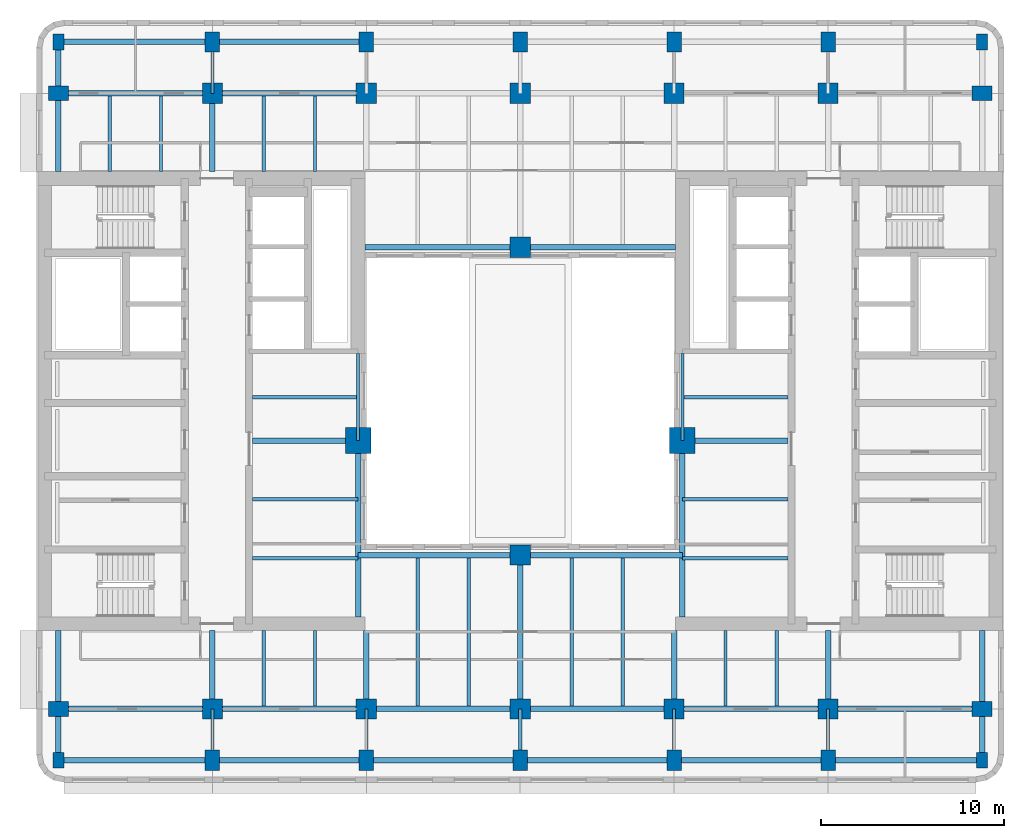
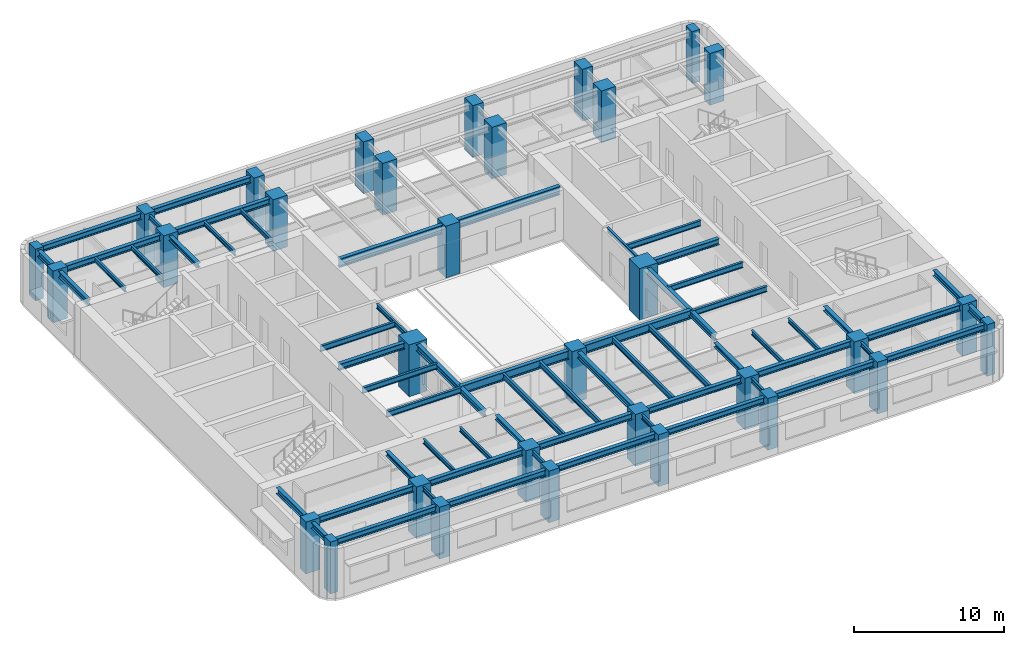
# One storey, part 1 of 11: 62 beams, 32 columns.
"""IFC4 building model written with IfcOpenShell, lengths in metres."""

from ifc_helpers import new_model, si_unit, direction, frame, origin, origin_2d, place, context, subcontext, project, spatial, rectangle, i_section, extrude, material, material_profile, profile_set, type_object, element, save


model = new_model("IFC4")

# Units and contexts
model_context = context("Model", 3, precision=1e-05, world=origin(), true_north=direction((0.0, 1.0)))
body_context = subcontext(model_context, "Body", "Model", "MODEL_VIEW")
ifc_project = project(units=[si_unit("LENGTHUNIT", "METRE"), si_unit("AREAUNIT", "SQUARE_METRE"), si_unit("VOLUMEUNIT", "CUBIC_METRE"), si_unit("PLANEANGLEUNIT", "RADIAN"), si_unit("MASSUNIT", "GRAM", prefix="KILO")], contexts=[model_context])

# Site, building, storey
site_placement = place(None, origin())
site = spatial("IfcSite", under=ifc_project, at=site_placement, CompositionType="ELEMENT")
building_placement = place(site_placement, origin())
building = spatial("IfcBuilding", under=site, at=building_placement, Name="Claustro Exchange Tower", CompositionType="ELEMENT")
storey_placement = place(building_placement, frame((0.0, 0.0, 177.60009765625)))
storey = spatial("IfcBuildingStorey", under=building, at=storey_placement, Name="L40", CompositionType="ELEMENT", Elevation=177.60009765625)

# Columns
ifc_material_1 = material(Name="Concrete HA-70 (C70/85)", Category="concrete")
ifc_material_profile_1 = material_profile(ifc_material_1, rectangle(XDim=1.39990234375, YDim=1.39990234375, at=origin_2d()), Name="RC 1400x1400")
ifc_profile_set_1 = profile_set([ifc_material_profile_1], Name="Concrete HA-70 (C70/85)")
column_type_1 = type_object("IfcColumnType", Name="C0 RC 1400x1400 HA-70 column", PredefinedType="COLUMN", material=ifc_profile_set_1)
for number, where, z_axis, x_axis, name in (
    (1, (16.35009765625, 23.050048828125, 0.0), (0.0, 0.0, 1.0), (1.0, 0.0, 0.0), "Column C0 2+7950/C+6250 L40"),
    (2, (34.050048828125, 23.050048828125, 0.0), (0.0, 0.0, 1.0), (1.0, 0.0, 0.0), "Column C0 5+450/C+6250 L40"),
):
    element("IfcColumn", number, at=place(storey_placement, frame(where, z_axis=z_axis, x_axis=x_axis)), inside=storey, type_object=column_type_1, Name=name, PredefinedType="COLUMN", context=body_context, shape_type="SweptSolid", body=[
        extrude(rectangle(XDim=1.39990234375, YDim=1.39990234375, at=origin_2d()), origin(), (0.0, 0.0, 1.0), 4.199951171875),
    ])
ifc_material_2 = material(Name="Concrete HA-70 (C70/85)", Category="concrete")
ifc_material_profile_2 = material_profile(ifc_material_2, rectangle(XDim=1.10009765625, YDim=1.10009765625, at=origin_2d()), Name="RC 1100x1100")
ifc_profile_set_2 = profile_set([ifc_material_profile_2], Name="Concrete HA-70 (C70/85)")
column_type_2 = type_object("IfcColumnType", Name="C17 RC 1100x1100 HA-70 column", PredefinedType="COLUMN", material=ifc_profile_set_2)
for number, where, z_axis, x_axis, name in (
    (3, (8.39990234375, 8.39990234375, 0.0), (0.0, 0.0, 1.0), (1.0, 0.0, 0.0), "Column C17 2/B L40"),
    (4, (8.39990234375, 42.0, 0.0), (0.0, 0.0, 1.0), (1.0, 0.0, 0.0), "Column C17 2/F L40"),
    (5, (16.800048828125, 8.39990234375, 0.0), (0.0, 0.0, 1.0), (1.0, 0.0, 0.0), "Column C17 3/B L40"),
    (6, (16.800048828125, 42.0, 0.0), (0.0, 0.0, 1.0), (1.0, 0.0, 0.0), "Column C17 3/F L40"),
    (7, (25.199951171875, 8.39990234375, 0.0), (0.0, 0.0, 1.0), (1.0, 0.0, 0.0), "Column C17 4/B L40"),
    (8, (25.199951171875, 42.0, 0.0), (0.0, 0.0, 1.0), (1.0, 0.0, 0.0), "Column C17 4/F L40"),
    (9, (25.199951171875, 16.800048828125, 0.0), (0.0, 0.0, 1.0), (1.0, 0.0, 0.0), "Column C17 4/C L40"),
    (10, (25.199951171875, 33.60009765625, 0.0), (0.0, 0.0, 1.0), (1.0, 0.0, 0.0), "Column C17 4/E L40"),
    (11, (33.60009765625, 8.39990234375, 0.0), (0.0, 0.0, 1.0), (1.0, 0.0, 0.0), "Column C17 5/B L40"),
    (12, (33.60009765625, 42.0, 0.0), (0.0, 0.0, 1.0), (1.0, 0.0, 0.0), "Column C17 5/F L40"),
    (13, (42.0, 8.39990234375, 0.0), (0.0, 0.0, 1.0), (1.0, 0.0, 0.0), "Column C17 6/B L40"),
    (14, (42.0, 42.0, 0.0), (0.0, 0.0, 1.0), (1.0, 0.0, 0.0), "Column C17 6/F L40"),
):
    element("IfcColumn", number, at=place(storey_placement, frame(where, z_axis=z_axis, x_axis=x_axis)), inside=storey, type_object=column_type_2, Name=name, PredefinedType="COLUMN", context=body_context, shape_type="SweptSolid", body=[
        extrude(rectangle(XDim=1.10009765625, YDim=1.10009765625, at=origin_2d()), origin(), (0.0, 0.0, 1.0), 4.199951171875),
    ])
ifc_material_3 = material(Name="Concrete HA-50 (C50/60)", Category="concrete")
ifc_material_profile_3 = material_profile(ifc_material_3, rectangle(XDim=0.800048828125, YDim=1.10009765625, at=origin_2d()), Name="RC 800x1100")
ifc_profile_set_3 = profile_set([ifc_material_profile_3], Name="Concrete HA-50 (C50/60)")
column_type_3 = type_object("IfcColumnType", Name="C23 RC 800x1100 HA-50 perimeter column", PredefinedType="COLUMN", material=ifc_profile_set_3)
for number, where, z_axis, x_axis, name in (
    (15, (0.0, 8.39990234375, 0.0), (0.0, 0.0, 1.0), (0.0, 1.0, 0.0), "Column C23 1/B L40"),
    (16, (0.0, 42.0, 0.0), (0.0, 0.0, 1.0), (0.0, 1.0, 0.0), "Column C23 1/F L40"),
    (17, (8.39990234375, 5.60009765625, 0.0), (0.0, 0.0, 1.0), (1.0, 0.0, 0.0), "Column C23 2/A+5600 L40"),
    (18, (8.39990234375, 44.800048828125, 0.0), (0.0, 0.0, 1.0), (1.0, 0.0, 0.0), "Column C23 2/F+2800 L40"),
    (19, (16.800048828125, 5.60009765625, 0.0), (0.0, 0.0, 1.0), (1.0, 0.0, 0.0), "Column C23 3/A+5600 L40"),
    (20, (16.800048828125, 44.800048828125, 0.0), (0.0, 0.0, 1.0), (1.0, 0.0, 0.0), "Column C23 3/F+2800 L40"),
    (21, (25.199951171875, 5.60009765625, 0.0), (0.0, 0.0, 1.0), (1.0, 0.0, 0.0), "Column C23 4/A+5600 L40"),
    (22, (25.199951171875, 44.800048828125, 0.0), (0.0, 0.0, 1.0), (1.0, 0.0, 0.0), "Column C23 4/F+2800 L40"),
    (23, (33.60009765625, 5.60009765625, 0.0), (0.0, 0.0, 1.0), (1.0, 0.0, 0.0), "Column C23 5/A+5600 L40"),
    (24, (33.60009765625, 44.800048828125, 0.0), (0.0, 0.0, 1.0), (1.0, 0.0, 0.0), "Column C23 5/F+2800 L40"),
    (25, (42.0, 5.60009765625, 0.0), (0.0, 0.0, 1.0), (1.0, 0.0, 0.0), "Column C23 6/A+5600 L40"),
    (26, (42.0, 44.800048828125, 0.0), (0.0, 0.0, 1.0), (1.0, 0.0, 0.0), "Column C23 6/F+2800 L40"),
    (27, (50.39990234375, 8.39990234375, 0.0), (0.0, 0.0, 1.0), (0.0, 1.0, 0.0), "Column C23 7/B L40"),
    (28, (50.39990234375, 42.0, 0.0), (0.0, 0.0, 1.0), (0.0, 1.0, 0.0), "Column C23 7/F L40"),
):
    element("IfcColumn", number, at=place(storey_placement, frame(where, z_axis=z_axis, x_axis=x_axis)), inside=storey, type_object=column_type_3, Name=name, PredefinedType="COLUMN", context=body_context, shape_type="SweptSolid", body=[
        extrude(rectangle(XDim=0.800048828125, YDim=1.10009765625, at=origin_2d()), origin(), (0.0, 0.0, 1.0), 4.199951171875),
    ])
ifc_material_4 = material(Name="Concrete HA-50 (C50/60)", Category="concrete")
ifc_material_profile_4 = material_profile(ifc_material_4, rectangle(XDim=0.60009765625, YDim=0.85009765625, at=origin_2d()), Name="RC 600x850")
ifc_profile_set_4 = profile_set([ifc_material_profile_4], Name="Concrete HA-50 (C50/60)")
column_type_4 = type_object("IfcColumnType", Name="C25 RC 600x850 HA-50 corner column", PredefinedType="COLUMN", material=ifc_profile_set_4)
for number, where, z_axis, x_axis, name in (
    (29, (0.0, 5.60009765625, 0.0), (0.0, 0.0, 1.0), (1.0, 0.0, 0.0), "Column C25 1/A+5600 L40"),
    (30, (0.0, 44.800048828125, 0.0), (0.0, 0.0, 1.0), (1.0, 0.0, 0.0), "Column C25 1/F+2800 L40"),
    (31, (50.39990234375, 5.60009765625, 0.0), (0.0, 0.0, 1.0), (1.0, 0.0, 0.0), "Column C25 7/A+5600 L40"),
    (32, (50.39990234375, 44.800048828125, 0.0), (0.0, 0.0, 1.0), (1.0, 0.0, 0.0), "Column C25 7/F+2800 L40"),
):
    element("IfcColumn", number, at=place(storey_placement, frame(where, z_axis=z_axis, x_axis=x_axis)), inside=storey, type_object=column_type_4, Name=name, PredefinedType="COLUMN", context=body_context, shape_type="SweptSolid", body=[
        extrude(rectangle(XDim=0.60009765625, YDim=0.85009765625, at=origin_2d()), origin(), (0.0, 0.0, 1.0), 4.199951171875),
    ])

# Beams
ifc_material_5 = material(Name="Steel S355", Category="steel")
ifc_material_profile_5 = material_profile(ifc_material_5, i_section(OverallWidth=0.300048828125, OverallDepth=0.68994140625, WebThickness=0.014404296875, FlangeThickness=0.027099609375, FilletRadius=0.027099609375, at=origin_2d()), Name="HE 700 A")
ifc_profile_set_5 = profile_set([ifc_material_profile_5], Name="Steel S355")
beam_type_1 = type_object("IfcBeamType", Name="B13 HE 700 A light well edge girder", PredefinedType="BEAM", material=ifc_profile_set_5)
beam_1_placement = place(storey_placement, frame((16.35009765625, 16.800048828125, 3.704833984375), z_axis=(1.0, 0.0, 0.0), x_axis=(0.0, 1.0, 0.0)))
element("IfcBeam", 33, at=beam_1_placement, inside=storey, type_object=beam_type_1, Name="Beam B13 L41", PredefinedType="BEAM", context=body_context, shape_type="SweptSolid", body=[
    extrude(i_section(OverallWidth=0.300048828125, OverallDepth=0.68994140625, WebThickness=0.014404296875, FlangeThickness=0.027099609375, FilletRadius=0.027099609375, at=origin_2d()), origin(), (0.0, 0.0, 1.0), 8.849853515625),
])
beam_2_placement = place(storey_placement, frame((25.199951171875, 16.800048828125, 3.704833984375), z_axis=(1.0, 0.0, 0.0), x_axis=(0.0, 1.0, 0.0)))
element("IfcBeam", 34, at=beam_2_placement, inside=storey, type_object=beam_type_1, Name="Beam B13 L41", PredefinedType="BEAM", context=body_context, shape_type="SweptSolid", body=[
    extrude(i_section(OverallWidth=0.300048828125, OverallDepth=0.68994140625, WebThickness=0.014404296875, FlangeThickness=0.027099609375, FilletRadius=0.027099609375, at=origin_2d()), origin(), (0.0, 0.0, 1.0), 8.85009765625),
])
beam_3_placement = place(storey_placement, frame((16.72509765625, 33.60009765625, 3.704833984375), z_axis=(1.0, 0.0, 0.0), x_axis=(0.0, 1.0, 0.0)))
element("IfcBeam", 35, at=beam_3_placement, inside=storey, type_object=beam_type_1, Name="Beam B13 L41", PredefinedType="BEAM", context=body_context, shape_type="SweptSolid", body=[
    extrude(i_section(OverallWidth=0.300048828125, OverallDepth=0.68994140625, WebThickness=0.014404296875, FlangeThickness=0.027099609375, FilletRadius=0.027099609375, at=origin_2d()), origin(), (0.0, 0.0, 1.0), 8.474853515625),
])
beam_4_placement = place(storey_placement, frame((25.199951171875, 33.60009765625, 3.704833984375), z_axis=(1.0, 0.0, 0.0), x_axis=(0.0, 1.0, 0.0)))
element("IfcBeam", 36, at=beam_4_placement, inside=storey, type_object=beam_type_1, Name="Beam B13 L41", PredefinedType="BEAM", context=body_context, shape_type="SweptSolid", body=[
    extrude(i_section(OverallWidth=0.300048828125, OverallDepth=0.68994140625, WebThickness=0.014404296875, FlangeThickness=0.027099609375, FilletRadius=0.027099609375, at=origin_2d()), origin(), (0.0, 0.0, 1.0), 8.47509765625),
])
ifc_material_6 = material(Name="Steel S355", Category="steel")
ifc_material_profile_6 = material_profile(ifc_material_6, i_section(OverallWidth=0.169921875, OverallDepth=0.360107421875, WebThickness=0.008056640625, FlangeThickness=0.0126953125, FilletRadius=0.01806640625, at=origin_2d()), Name="IPE 360")
ifc_profile_set_6 = profile_set([ifc_material_profile_6], Name="Steel S355")
beam_type_2 = type_object("IfcBeamType", Name="B16 IPE 360 short-span beam", PredefinedType="BEAM", material=ifc_profile_set_6)
beam_5_placement = place(storey_placement, frame((8.39990234375, 5.60009765625, 3.869873046875), z_axis=(0.0, 1.0, 0.0), x_axis=(-1.0, 0.0, 0.0)))
element("IfcBeam", 37, at=beam_5_placement, inside=storey, type_object=beam_type_2, Name="Beam B16 L41", PredefinedType="BEAM", context=body_context, shape_type="SweptSolid", body=[
    extrude(i_section(OverallWidth=0.169921875, OverallDepth=0.360107421875, WebThickness=0.008056640625, FlangeThickness=0.0126953125, FilletRadius=0.01806640625, at=origin_2d()), origin(), (0.0, 0.0, 1.0), 2.7998046875),
])
beam_6_placement = place(storey_placement, frame((8.39990234375, 42.0, 3.869873046875), z_axis=(0.0, 1.0, 0.0), x_axis=(-1.0, 0.0, 0.0)))
element("IfcBeam", 38, at=beam_6_placement, inside=storey, type_object=beam_type_2, Name="Beam B16 L41", PredefinedType="BEAM", context=body_context, shape_type="SweptSolid", body=[
    extrude(i_section(OverallWidth=0.169921875, OverallDepth=0.360107421875, WebThickness=0.008056640625, FlangeThickness=0.0126953125, FilletRadius=0.01806640625, at=origin_2d()), origin(), (0.0, 0.0, 1.0), 2.800048828125),
])
for number, where, z_axis, x_axis, name in (
    (39, (16.800048828125, 5.60009765625, 3.869873046875), (0.0, 1.0, 0.0), (-1.0, 0.0, 0.0), "Beam B16 L41"),
    (40, (25.199951171875, 5.60009765625, 3.869873046875), (0.0, 1.0, 0.0), (-1.0, 0.0, 0.0), "Beam B16 L41"),
    (41, (33.60009765625, 5.60009765625, 3.869873046875), (0.0, 1.0, 0.0), (-1.0, 0.0, 0.0), "Beam B16 L41"),
    (42, (42.0, 5.60009765625, 3.869873046875), (0.0, 1.0, 0.0), (-1.0, 0.0, 0.0), "Beam B16 L41"),
):
    element("IfcBeam", number, at=place(storey_placement, frame(where, z_axis=z_axis, x_axis=x_axis)), inside=storey, type_object=beam_type_2, Name=name, PredefinedType="BEAM", context=body_context, shape_type="SweptSolid", body=[
        extrude(i_section(OverallWidth=0.169921875, OverallDepth=0.360107421875, WebThickness=0.008056640625, FlangeThickness=0.0126953125, FilletRadius=0.01806640625, at=origin_2d()), origin(), (0.0, 0.0, 1.0), 2.7998046875),
    ])
for number, where, z_axis, x_axis, name in (
    (43, (2.800048828125, 37.72509765625, 3.869873046875), (0.0, 1.0, 0.0), (-1.0, 0.0, 0.0), "Beam B16 L41"),
    (44, (5.60009765625, 37.72509765625, 3.869873046875), (0.0, 1.0, 0.0), (-1.0, 0.0, 0.0), "Beam B16 L41"),
    (45, (11.199951171875, 8.550048828125, 3.869873046875), (0.0, 1.0, 0.0), (-1.0, 0.0, 0.0), "Beam B16 L41"),
    (46, (14.0, 8.550048828125, 3.869873046875), (0.0, 1.0, 0.0), (-1.0, 0.0, 0.0), "Beam B16 L41"),
    (47, (11.199951171875, 37.72509765625, 3.869873046875), (0.0, 1.0, 0.0), (-1.0, 0.0, 0.0), "Beam B16 L41"),
    (48, (14.0, 37.72509765625, 3.869873046875), (0.0, 1.0, 0.0), (-1.0, 0.0, 0.0), "Beam B16 L41"),
    (49, (36.39990234375, 8.550048828125, 3.869873046875), (0.0, 1.0, 0.0), (-1.0, 0.0, 0.0), "Beam B16 L41"),
    (50, (39.199951171875, 8.550048828125, 3.869873046875), (0.0, 1.0, 0.0), (-1.0, 0.0, 0.0), "Beam B16 L41"),
):
    element("IfcBeam", number, at=place(storey_placement, frame(where, z_axis=z_axis, x_axis=x_axis)), inside=storey, type_object=beam_type_2, Name=name, PredefinedType="BEAM", context=body_context, shape_type="SweptSolid", body=[
        extrude(i_section(OverallWidth=0.169921875, OverallDepth=0.360107421875, WebThickness=0.008056640625, FlangeThickness=0.0126953125, FilletRadius=0.01806640625, at=origin_2d()), origin(), (0.0, 0.0, 1.0), 4.125),
    ])
for number, where, z_axis, x_axis, name in (
    (51, (16.35009765625, 23.050048828125, 3.869873046875), (0.0, 1.0, 0.0), (-1.0, 0.0, 0.0), "Beam B16 core step framing L41"),
    (52, (34.050048828125, 23.050048828125, 3.869873046875), (0.0, 1.0, 0.0), (-1.0, 0.0, 0.0), "Beam B16 core step framing L41"),
):
    element("IfcBeam", number, at=place(storey_placement, frame(where, z_axis=z_axis, x_axis=x_axis)), inside=storey, type_object=beam_type_2, Name=name, PredefinedType="BEAM", context=body_context, shape_type="SweptSolid", body=[
        extrude(i_section(OverallWidth=0.169921875, OverallDepth=0.360107421875, WebThickness=0.008056640625, FlangeThickness=0.0126953125, FilletRadius=0.01806640625, at=origin_2d()), origin(), (0.0, 0.0, 1.0), 4.75),
    ])
ifc_material_7 = material(Name="Steel S355", Category="steel")
ifc_material_profile_7 = material_profile(ifc_material_7, i_section(OverallWidth=0.300048828125, OverallDepth=0.360107421875, WebThickness=0.012451171875, FlangeThickness=0.0224609375, FilletRadius=0.027099609375, at=origin_2d()), Name="HE 360 B")
ifc_profile_set_7 = profile_set([ifc_material_profile_7], Name="Steel S355")
beam_type_3 = type_object("IfcBeamType", Name="B29 HE 360 B column to core link beam", PredefinedType="BEAM", material=ifc_profile_set_7)
beam_7_placement = place(storey_placement, frame((8.39990234375, 8.39990234375, 3.869873046875), z_axis=(0.0, 1.0, 0.0), x_axis=(-1.0, 0.0, 0.0)))
element("IfcBeam", 53, at=beam_7_placement, inside=storey, type_object=beam_type_3, Name="Beam B29 L41", PredefinedType="BEAM", context=body_context, shape_type="SweptSolid", body=[
    extrude(i_section(OverallWidth=0.300048828125, OverallDepth=0.360107421875, WebThickness=0.012451171875, FlangeThickness=0.0224609375, FilletRadius=0.027099609375, at=origin_2d()), origin(), (0.0, 0.0, 1.0), 4.275146484375),
])
beam_8_placement = place(storey_placement, frame((8.39990234375, 37.72509765625, 3.869873046875), z_axis=(0.0, 1.0, 0.0), x_axis=(-1.0, 0.0, 0.0)))
element("IfcBeam", 54, at=beam_8_placement, inside=storey, type_object=beam_type_3, Name="Beam B29 L41", PredefinedType="BEAM", context=body_context, shape_type="SweptSolid", body=[
    extrude(i_section(OverallWidth=0.300048828125, OverallDepth=0.360107421875, WebThickness=0.012451171875, FlangeThickness=0.0224609375, FilletRadius=0.027099609375, at=origin_2d()), origin(), (0.0, 0.0, 1.0), 4.27490234375),
])
for number, where, z_axis, x_axis, name in (
    (55, (16.800048828125, 8.39990234375, 3.869873046875), (0.0, 1.0, 0.0), (-1.0, 0.0, 0.0), "Beam B29 L41"),
    (56, (33.60009765625, 8.39990234375, 3.869873046875), (0.0, 1.0, 0.0), (-1.0, 0.0, 0.0), "Beam B29 L41"),
    (57, (42.0, 8.39990234375, 3.869873046875), (0.0, 1.0, 0.0), (-1.0, 0.0, 0.0), "Beam B29 L41"),
):
    element("IfcBeam", number, at=place(storey_placement, frame(where, z_axis=z_axis, x_axis=x_axis)), inside=storey, type_object=beam_type_3, Name=name, PredefinedType="BEAM", context=body_context, shape_type="SweptSolid", body=[
        extrude(i_section(OverallWidth=0.300048828125, OverallDepth=0.360107421875, WebThickness=0.012451171875, FlangeThickness=0.0224609375, FilletRadius=0.027099609375, at=origin_2d()), origin(), (0.0, 0.0, 1.0), 4.275146484375),
    ])
ifc_material_8 = material(Name="Steel S355", Category="steel")
ifc_material_profile_8 = material_profile(ifc_material_8, i_section(OverallWidth=0.300048828125, OverallDepth=0.5, WebThickness=0.014404296875, FlangeThickness=0.028076171875, FilletRadius=0.027099609375, at=origin_2d()), Name="HE 500 B")
ifc_profile_set_8 = profile_set([ifc_material_profile_8], Name="Steel S355")
beam_type_4 = type_object("IfcBeamType", Name="B7 HE 500 B floor girder", PredefinedType="BEAM", material=ifc_profile_set_8)
beam_9_placement = place(storey_placement, frame((25.199951171875, 8.39990234375, 3.7998046875), z_axis=(0.0, 1.0, 0.0), x_axis=(-1.0, 0.0, 0.0)))
element("IfcBeam", 58, at=beam_9_placement, inside=storey, type_object=beam_type_4, Name="Beam B7 L41", PredefinedType="BEAM", context=body_context, shape_type="SweptSolid", body=[
    extrude(i_section(OverallWidth=0.300048828125, OverallDepth=0.5, WebThickness=0.014404296875, FlangeThickness=0.028076171875, FilletRadius=0.027099609375, at=origin_2d()), origin(), (0.0, 0.0, 1.0), 8.400146484375),
])
beam_10_placement = place(storey_placement, frame((0.0, 8.39990234375, 3.7998046875), z_axis=(1.0, 0.0, 0.0), x_axis=(0.0, 1.0, 0.0)))
element("IfcBeam", 59, at=beam_10_placement, inside=storey, type_object=beam_type_4, Name="Beam B7 L41", PredefinedType="BEAM", context=body_context, shape_type="SweptSolid", body=[
    extrude(i_section(OverallWidth=0.300048828125, OverallDepth=0.5, WebThickness=0.014404296875, FlangeThickness=0.028076171875, FilletRadius=0.027099609375, at=origin_2d()), origin(), (0.0, 0.0, 1.0), 8.39990234375),
])
beam_11_placement = place(storey_placement, frame((8.39990234375, 8.39990234375, 3.7998046875), z_axis=(1.0, 0.0, 0.0), x_axis=(0.0, 1.0, 0.0)))
element("IfcBeam", 60, at=beam_11_placement, inside=storey, type_object=beam_type_4, Name="Beam B7 L41", PredefinedType="BEAM", context=body_context, shape_type="SweptSolid", body=[
    extrude(i_section(OverallWidth=0.300048828125, OverallDepth=0.5, WebThickness=0.014404296875, FlangeThickness=0.028076171875, FilletRadius=0.027099609375, at=origin_2d()), origin(), (0.0, 0.0, 1.0), 8.400146484375),
])
beam_12_placement = place(storey_placement, frame((16.800048828125, 8.39990234375, 3.7998046875), z_axis=(1.0, 0.0, 0.0), x_axis=(0.0, 1.0, 0.0)))
element("IfcBeam", 61, at=beam_12_placement, inside=storey, type_object=beam_type_4, Name="Beam B7 L41", PredefinedType="BEAM", context=body_context, shape_type="SweptSolid", body=[
    extrude(i_section(OverallWidth=0.300048828125, OverallDepth=0.5, WebThickness=0.014404296875, FlangeThickness=0.028076171875, FilletRadius=0.027099609375, at=origin_2d()), origin(), (0.0, 0.0, 1.0), 8.39990234375),
])
beam_13_placement = place(storey_placement, frame((25.199951171875, 8.39990234375, 3.7998046875), z_axis=(1.0, 0.0, 0.0), x_axis=(0.0, 1.0, 0.0)))
element("IfcBeam", 62, at=beam_13_placement, inside=storey, type_object=beam_type_4, Name="Beam B7 L41", PredefinedType="BEAM", context=body_context, shape_type="SweptSolid", body=[
    extrude(i_section(OverallWidth=0.300048828125, OverallDepth=0.5, WebThickness=0.014404296875, FlangeThickness=0.028076171875, FilletRadius=0.027099609375, at=origin_2d()), origin(), (0.0, 0.0, 1.0), 8.400146484375),
])
for number, where, z_axis, x_axis, name in (
    (63, (33.60009765625, 8.39990234375, 3.7998046875), (1.0, 0.0, 0.0), (0.0, 1.0, 0.0), "Beam B7 L41"),
    (64, (42.0, 8.39990234375, 3.7998046875), (1.0, 0.0, 0.0), (0.0, 1.0, 0.0), "Beam B7 L41"),
    (65, (0.0, 42.0, 3.7998046875), (1.0, 0.0, 0.0), (0.0, 1.0, 0.0), "Beam B7 L41"),
):
    element("IfcBeam", number, at=place(storey_placement, frame(where, z_axis=z_axis, x_axis=x_axis)), inside=storey, type_object=beam_type_4, Name=name, PredefinedType="BEAM", context=body_context, shape_type="SweptSolid", body=[
        extrude(i_section(OverallWidth=0.300048828125, OverallDepth=0.5, WebThickness=0.014404296875, FlangeThickness=0.028076171875, FilletRadius=0.027099609375, at=origin_2d()), origin(), (0.0, 0.0, 1.0), 8.39990234375),
    ])
beam_14_placement = place(storey_placement, frame((8.39990234375, 42.0, 3.7998046875), z_axis=(1.0, 0.0, 0.0), x_axis=(0.0, 1.0, 0.0)))
element("IfcBeam", 66, at=beam_14_placement, inside=storey, type_object=beam_type_4, Name="Beam B7 L41", PredefinedType="BEAM", context=body_context, shape_type="SweptSolid", body=[
    extrude(i_section(OverallWidth=0.300048828125, OverallDepth=0.5, WebThickness=0.014404296875, FlangeThickness=0.028076171875, FilletRadius=0.027099609375, at=origin_2d()), origin(), (0.0, 0.0, 1.0), 8.400146484375),
])
beam_15_placement = place(storey_placement, frame((10.60009765625, 23.050048828125, 3.7998046875), z_axis=(1.0, 0.0, 0.0), x_axis=(0.0, 1.0, 0.0)))
element("IfcBeam", 67, at=beam_15_placement, inside=storey, type_object=beam_type_4, Name="Beam B7 core step framing L41", PredefinedType="BEAM", context=body_context, shape_type="SweptSolid", body=[
    extrude(i_section(OverallWidth=0.300048828125, OverallDepth=0.5, WebThickness=0.014404296875, FlangeThickness=0.028076171875, FilletRadius=0.027099609375, at=origin_2d()), origin(), (0.0, 0.0, 1.0), 5.75),
])
beam_16_placement = place(storey_placement, frame((16.35009765625, 13.425048828125, 3.7998046875), z_axis=(0.0, 1.0, 0.0), x_axis=(-1.0, 0.0, 0.0)))
element("IfcBeam", 68, at=beam_16_placement, inside=storey, type_object=beam_type_4, Name="Beam B7 core step framing L41", PredefinedType="BEAM", context=body_context, shape_type="SweptSolid", body=[
    extrude(i_section(OverallWidth=0.300048828125, OverallDepth=0.5, WebThickness=0.014404296875, FlangeThickness=0.028076171875, FilletRadius=0.027099609375, at=origin_2d()), origin(), (0.0, 0.0, 1.0), 9.625),
])
beam_17_placement = place(storey_placement, frame((34.050048828125, 23.050048828125, 3.7998046875), z_axis=(1.0, 0.0, 0.0), x_axis=(0.0, 1.0, 0.0)))
element("IfcBeam", 69, at=beam_17_placement, inside=storey, type_object=beam_type_4, Name="Beam B7 core step framing L41", PredefinedType="BEAM", context=body_context, shape_type="SweptSolid", body=[
    extrude(i_section(OverallWidth=0.300048828125, OverallDepth=0.5, WebThickness=0.014404296875, FlangeThickness=0.028076171875, FilletRadius=0.027099609375, at=origin_2d()), origin(), (0.0, 0.0, 1.0), 5.75),
])
beam_18_placement = place(storey_placement, frame((34.050048828125, 13.425048828125, 3.7998046875), z_axis=(0.0, 1.0, 0.0), x_axis=(-1.0, 0.0, 0.0)))
element("IfcBeam", 70, at=beam_18_placement, inside=storey, type_object=beam_type_4, Name="Beam B7 core step framing L41", PredefinedType="BEAM", context=body_context, shape_type="SweptSolid", body=[
    extrude(i_section(OverallWidth=0.300048828125, OverallDepth=0.5, WebThickness=0.014404296875, FlangeThickness=0.028076171875, FilletRadius=0.027099609375, at=origin_2d()), origin(), (0.0, 0.0, 1.0), 9.625),
])
ifc_material_9 = material(Name="Steel S355", Category="steel")
ifc_material_profile_9 = material_profile(ifc_material_9, i_section(OverallWidth=0.18994140625, OverallDepth=0.449951171875, WebThickness=0.009521484375, FlangeThickness=0.0146484375, FilletRadius=0.02099609375, at=origin_2d()), Name="IPE 450")
ifc_profile_set_9 = profile_set([ifc_material_profile_9], Name="Steel S355")
beam_type_5 = type_object("IfcBeamType", Name="B8 IPE 450 secondary beam", PredefinedType="BEAM", material=ifc_profile_set_9)
for number, where, z_axis, x_axis, name in (
    (71, (19.60009765625, 8.550048828125, 3.824951171875), (0.0, 1.0, 0.0), (-1.0, 0.0, 0.0), "Beam B8 L41"),
    (72, (22.39990234375, 8.550048828125, 3.824951171875), (0.0, 1.0, 0.0), (-1.0, 0.0, 0.0), "Beam B8 L41"),
    (73, (28.0, 8.550048828125, 3.824951171875), (0.0, 1.0, 0.0), (-1.0, 0.0, 0.0), "Beam B8 L41"),
    (74, (30.800048828125, 8.550048828125, 3.824951171875), (0.0, 1.0, 0.0), (-1.0, 0.0, 0.0), "Beam B8 L41"),
):
    element("IfcBeam", number, at=place(storey_placement, frame(where, z_axis=z_axis, x_axis=x_axis)), inside=storey, type_object=beam_type_5, Name=name, PredefinedType="BEAM", context=body_context, shape_type="SweptSolid", body=[
        extrude(i_section(OverallWidth=0.18994140625, OverallDepth=0.449951171875, WebThickness=0.009521484375, FlangeThickness=0.0146484375, FilletRadius=0.02099609375, at=origin_2d()), origin(), (0.0, 0.0, 1.0), 8.099853515625),
    ])
for number, where, z_axis, x_axis, name in (
    (75, (10.60009765625, 16.63330078125, 3.824951171875), (1.0, 0.0, 0.0), (0.0, 1.0, 0.0), "Beam B8 core step framing L41"),
    (76, (10.60009765625, 19.841796875, 3.824951171875), (1.0, 0.0, 0.0), (0.0, 1.0, 0.0), "Beam B8 core step framing L41"),
    (77, (10.60009765625, 25.425048828125, 3.824951171875), (1.0, 0.0, 0.0), (0.0, 1.0, 0.0), "Beam B8 core step framing L41"),
    (78, (34.050048828125, 16.63330078125, 3.824951171875), (1.0, 0.0, 0.0), (0.0, 1.0, 0.0), "Beam B8 core step framing L41"),
    (79, (34.050048828125, 19.841796875, 3.824951171875), (1.0, 0.0, 0.0), (0.0, 1.0, 0.0), "Beam B8 core step framing L41"),
    (80, (34.050048828125, 25.425048828125, 3.824951171875), (1.0, 0.0, 0.0), (0.0, 1.0, 0.0), "Beam B8 core step framing L41"),
):
    element("IfcBeam", number, at=place(storey_placement, frame(where, z_axis=z_axis, x_axis=x_axis)), inside=storey, type_object=beam_type_5, Name=name, PredefinedType="BEAM", context=body_context, shape_type="SweptSolid", body=[
        extrude(i_section(OverallWidth=0.18994140625, OverallDepth=0.449951171875, WebThickness=0.009521484375, FlangeThickness=0.0146484375, FilletRadius=0.02099609375, at=origin_2d()), origin(), (0.0, 0.0, 1.0), 5.75),
    ])
ifc_material_10 = material(Name="Steel S355", Category="steel")
ifc_material_profile_10 = material_profile(ifc_material_10, i_section(OverallWidth=0.300048828125, OverallDepth=0.489990234375, WebThickness=0.011962890625, FlangeThickness=0.02294921875, FilletRadius=0.027099609375, at=origin_2d()), Name="HE 500 A")
ifc_profile_set_10 = profile_set([ifc_material_profile_10], Name="Steel S355")
beam_type_6 = type_object("IfcBeamType", Name="B9 HE 500 A spandrel edge girder", PredefinedType="SPANDREL", material=ifc_profile_set_10)
beam_19_placement = place(storey_placement, frame((0.0, 5.60009765625, 3.804931640625), z_axis=(0.0, 1.0, 0.0), x_axis=(-1.0, 0.0, 0.0)))
element("IfcBeam", 81, at=beam_19_placement, inside=storey, type_object=beam_type_6, Name="Beam B9 L41", PredefinedType="SPANDREL", context=body_context, shape_type="SweptSolid", body=[
    extrude(i_section(OverallWidth=0.300048828125, OverallDepth=0.489990234375, WebThickness=0.011962890625, FlangeThickness=0.02294921875, FilletRadius=0.027099609375, at=origin_2d()), origin(), (0.0, 0.0, 1.0), 2.7998046875),
])
beam_20_placement = place(storey_placement, frame((0.0, 8.39990234375, 3.804931640625), z_axis=(0.0, 1.0, 0.0), x_axis=(-1.0, 0.0, 0.0)))
element("IfcBeam", 82, at=beam_20_placement, inside=storey, type_object=beam_type_6, Name="Beam B9 L41", PredefinedType="SPANDREL", context=body_context, shape_type="SweptSolid", body=[
    extrude(i_section(OverallWidth=0.300048828125, OverallDepth=0.489990234375, WebThickness=0.011962890625, FlangeThickness=0.02294921875, FilletRadius=0.027099609375, at=origin_2d()), origin(), (0.0, 0.0, 1.0), 4.275146484375),
])
beam_21_placement = place(storey_placement, frame((0.0, 37.72509765625, 3.804931640625), z_axis=(0.0, 1.0, 0.0), x_axis=(-1.0, 0.0, 0.0)))
element("IfcBeam", 83, at=beam_21_placement, inside=storey, type_object=beam_type_6, Name="Beam B9 L41", PredefinedType="SPANDREL", context=body_context, shape_type="SweptSolid", body=[
    extrude(i_section(OverallWidth=0.300048828125, OverallDepth=0.489990234375, WebThickness=0.011962890625, FlangeThickness=0.02294921875, FilletRadius=0.027099609375, at=origin_2d()), origin(), (0.0, 0.0, 1.0), 4.27490234375),
])
beam_22_placement = place(storey_placement, frame((0.0, 42.0, 3.804931640625), z_axis=(0.0, 1.0, 0.0), x_axis=(-1.0, 0.0, 0.0)))
element("IfcBeam", 84, at=beam_22_placement, inside=storey, type_object=beam_type_6, Name="Beam B9 L41", PredefinedType="SPANDREL", context=body_context, shape_type="SweptSolid", body=[
    extrude(i_section(OverallWidth=0.300048828125, OverallDepth=0.489990234375, WebThickness=0.011962890625, FlangeThickness=0.02294921875, FilletRadius=0.027099609375, at=origin_2d()), origin(), (0.0, 0.0, 1.0), 2.800048828125),
])
beam_23_placement = place(storey_placement, frame((50.39990234375, 5.60009765625, 3.804931640625), z_axis=(0.0, 1.0, 0.0), x_axis=(-1.0, 0.0, 0.0)))
element("IfcBeam", 85, at=beam_23_placement, inside=storey, type_object=beam_type_6, Name="Beam B9 L41", PredefinedType="SPANDREL", context=body_context, shape_type="SweptSolid", body=[
    extrude(i_section(OverallWidth=0.300048828125, OverallDepth=0.489990234375, WebThickness=0.011962890625, FlangeThickness=0.02294921875, FilletRadius=0.027099609375, at=origin_2d()), origin(), (0.0, 0.0, 1.0), 2.7998046875),
])
beam_24_placement = place(storey_placement, frame((50.39990234375, 8.39990234375, 3.804931640625), z_axis=(0.0, 1.0, 0.0), x_axis=(-1.0, 0.0, 0.0)))
element("IfcBeam", 86, at=beam_24_placement, inside=storey, type_object=beam_type_6, Name="Beam B9 L41", PredefinedType="SPANDREL", context=body_context, shape_type="SweptSolid", body=[
    extrude(i_section(OverallWidth=0.300048828125, OverallDepth=0.489990234375, WebThickness=0.011962890625, FlangeThickness=0.02294921875, FilletRadius=0.027099609375, at=origin_2d()), origin(), (0.0, 0.0, 1.0), 4.275146484375),
])
beam_25_placement = place(storey_placement, frame((0.0, 5.60009765625, 3.804931640625), z_axis=(1.0, 0.0, 0.0), x_axis=(0.0, 1.0, 0.0)))
element("IfcBeam", 87, at=beam_25_placement, inside=storey, type_object=beam_type_6, Name="Beam B9 L41", PredefinedType="SPANDREL", context=body_context, shape_type="SweptSolid", body=[
    extrude(i_section(OverallWidth=0.300048828125, OverallDepth=0.489990234375, WebThickness=0.011962890625, FlangeThickness=0.02294921875, FilletRadius=0.027099609375, at=origin_2d()), origin(), (0.0, 0.0, 1.0), 8.39990234375),
])
beam_26_placement = place(storey_placement, frame((8.39990234375, 5.60009765625, 3.804931640625), z_axis=(1.0, 0.0, 0.0), x_axis=(0.0, 1.0, 0.0)))
element("IfcBeam", 88, at=beam_26_placement, inside=storey, type_object=beam_type_6, Name="Beam B9 L41", PredefinedType="SPANDREL", context=body_context, shape_type="SweptSolid", body=[
    extrude(i_section(OverallWidth=0.300048828125, OverallDepth=0.489990234375, WebThickness=0.011962890625, FlangeThickness=0.02294921875, FilletRadius=0.027099609375, at=origin_2d()), origin(), (0.0, 0.0, 1.0), 8.400146484375),
])
beam_27_placement = place(storey_placement, frame((16.800048828125, 5.60009765625, 3.804931640625), z_axis=(1.0, 0.0, 0.0), x_axis=(0.0, 1.0, 0.0)))
element("IfcBeam", 89, at=beam_27_placement, inside=storey, type_object=beam_type_6, Name="Beam B9 L41", PredefinedType="SPANDREL", context=body_context, shape_type="SweptSolid", body=[
    extrude(i_section(OverallWidth=0.300048828125, OverallDepth=0.489990234375, WebThickness=0.011962890625, FlangeThickness=0.02294921875, FilletRadius=0.027099609375, at=origin_2d()), origin(), (0.0, 0.0, 1.0), 8.39990234375),
])
beam_28_placement = place(storey_placement, frame((25.199951171875, 5.60009765625, 3.804931640625), z_axis=(1.0, 0.0, 0.0), x_axis=(0.0, 1.0, 0.0)))
element("IfcBeam", 90, at=beam_28_placement, inside=storey, type_object=beam_type_6, Name="Beam B9 L41", PredefinedType="SPANDREL", context=body_context, shape_type="SweptSolid", body=[
    extrude(i_section(OverallWidth=0.300048828125, OverallDepth=0.489990234375, WebThickness=0.011962890625, FlangeThickness=0.02294921875, FilletRadius=0.027099609375, at=origin_2d()), origin(), (0.0, 0.0, 1.0), 8.400146484375),
])
for number, where, z_axis, x_axis, name in (
    (91, (33.60009765625, 5.60009765625, 3.804931640625), (1.0, 0.0, 0.0), (0.0, 1.0, 0.0), "Beam B9 L41"),
    (92, (42.0, 5.60009765625, 3.804931640625), (1.0, 0.0, 0.0), (0.0, 1.0, 0.0), "Beam B9 L41"),
    (93, (0.0, 44.800048828125, 3.804931640625), (1.0, 0.0, 0.0), (0.0, 1.0, 0.0), "Beam B9 L41"),
):
    element("IfcBeam", number, at=place(storey_placement, frame(where, z_axis=z_axis, x_axis=x_axis)), inside=storey, type_object=beam_type_6, Name=name, PredefinedType="SPANDREL", context=body_context, shape_type="SweptSolid", body=[
        extrude(i_section(OverallWidth=0.300048828125, OverallDepth=0.489990234375, WebThickness=0.011962890625, FlangeThickness=0.02294921875, FilletRadius=0.027099609375, at=origin_2d()), origin(), (0.0, 0.0, 1.0), 8.39990234375),
    ])
beam_29_placement = place(storey_placement, frame((8.39990234375, 44.800048828125, 3.804931640625), z_axis=(1.0, 0.0, 0.0), x_axis=(0.0, 1.0, 0.0)))
element("IfcBeam", 94, at=beam_29_placement, inside=storey, type_object=beam_type_6, Name="Beam B9 L41", PredefinedType="SPANDREL", context=body_context, shape_type="SweptSolid", body=[
    extrude(i_section(OverallWidth=0.300048828125, OverallDepth=0.489990234375, WebThickness=0.011962890625, FlangeThickness=0.02294921875, FilletRadius=0.027099609375, at=origin_2d()), origin(), (0.0, 0.0, 1.0), 8.400146484375),
])

save(model, "model.ifc")
